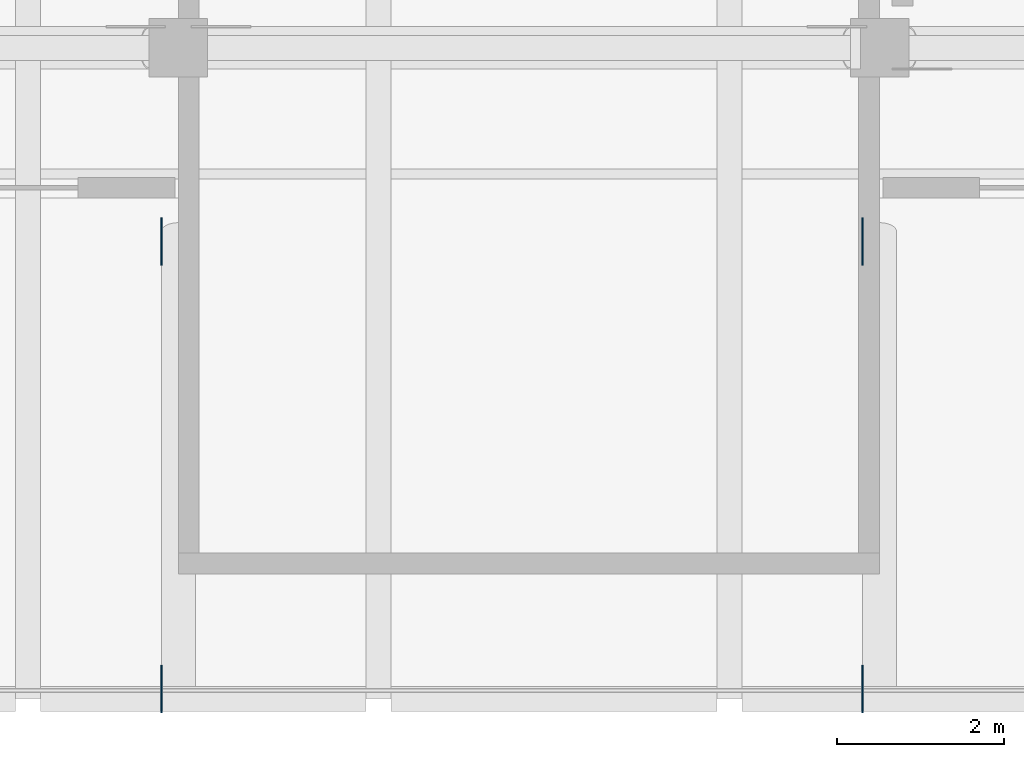
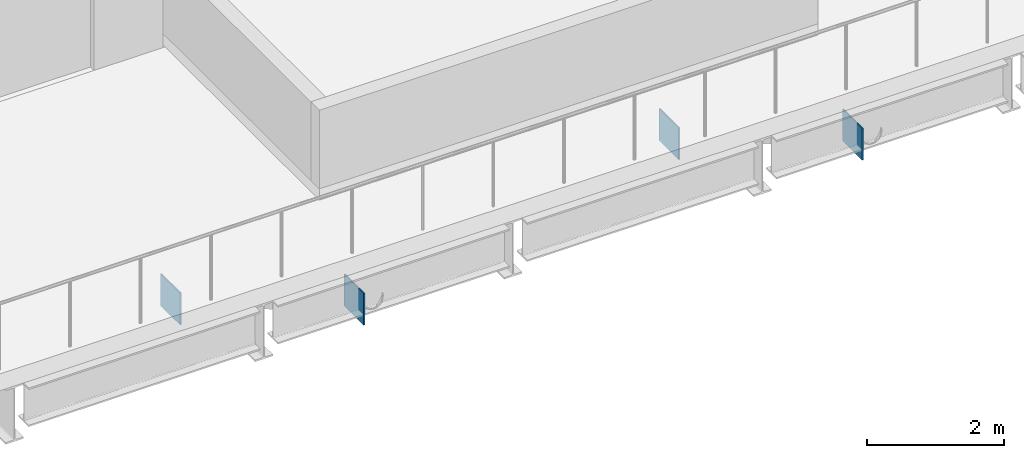
# One storey, part 24 of 29: 4 discrete accessories.
"""IFC4 building model written with IfcOpenShell, lengths in metres."""

from ifc_helpers import new_model, si_unit, direction, frame, origin, origin_2d, place, context, subcontext, project, spatial, rectangle, extrude, element, save


model = new_model("IFC4")

# Units and contexts
model_context = context("Model", 3, precision=1e-05, world=origin(), true_north=direction((0.0, 1.0)))
body_context = subcontext(model_context, "Body", "Model", "MODEL_VIEW")
ifc_project = project(units=[si_unit("LENGTHUNIT", "METRE"), si_unit("AREAUNIT", "SQUARE_METRE"), si_unit("VOLUMEUNIT", "CUBIC_METRE"), si_unit("PLANEANGLEUNIT", "RADIAN"), si_unit("MASSUNIT", "GRAM", prefix="KILO")], contexts=[model_context])

# Site, building, storey
site_placement = place(None, origin())
site = spatial("IfcSite", under=ifc_project, at=site_placement, CompositionType="ELEMENT")
building_placement = place(site_placement, origin())
building = spatial("IfcBuilding", under=site, at=building_placement, Name="Saffron Gate Tower", CompositionType="ELEMENT")
storey_placement = place(building_placement, frame((0.0, 0.0, 142.050048828125)))
storey = spatial("IfcBuildingStorey", under=building, at=storey_placement, Name="L34", CompositionType="ELEMENT", Elevation=142.050048828125)

# Discrete accessories
for number, where, z_axis, x_axis, name in (
    (1, (83.19677734375, 24.12158203125, -1.1484375), (0.0, 0.0, 1.0), (0.0, 1.0, 0.0), "GUSSET PLATE"),
    (2, (83.19677734375, 29.47900390625, -4.39111328125), (0.0, 0.0, 1.0), (0.0, 1.0, 0.0), "GUSSET PLATE"),
    (3, (91.5966796875, 24.12158203125, -1.1484375), (0.0, 0.0, 1.0), (0.0, 1.0, 0.0), "GUSSET PLATE"),
    (4, (91.5966796875, 29.47900390625, -4.39111328125), (0.0, 0.0, 1.0), (0.0, 1.0, 0.0), "GUSSET PLATE"),
):
    element("IfcDiscreteAccessory", number, at=place(storey_placement, frame(where, z_axis=z_axis, x_axis=x_axis)), inside=storey, Name=name, ObjectType="GUSSET PLATE", PredefinedType="USERDEFINED", context=body_context, shape_type="SweptSolid", body=[
        extrude(rectangle(XDim=0.569091796875, YDim=0.02001953125, at=origin_2d()), origin(), (0.0, 0.0, 1.0), 0.569091796875),
    ])

save(model, "model.ifc")
